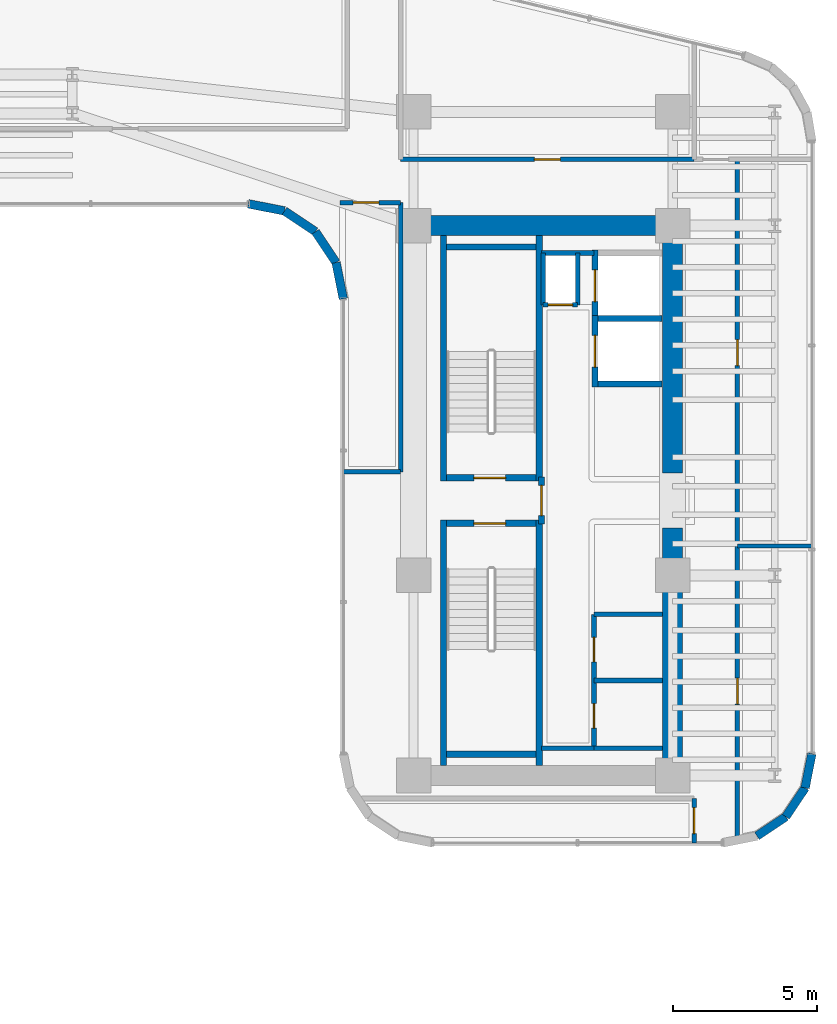
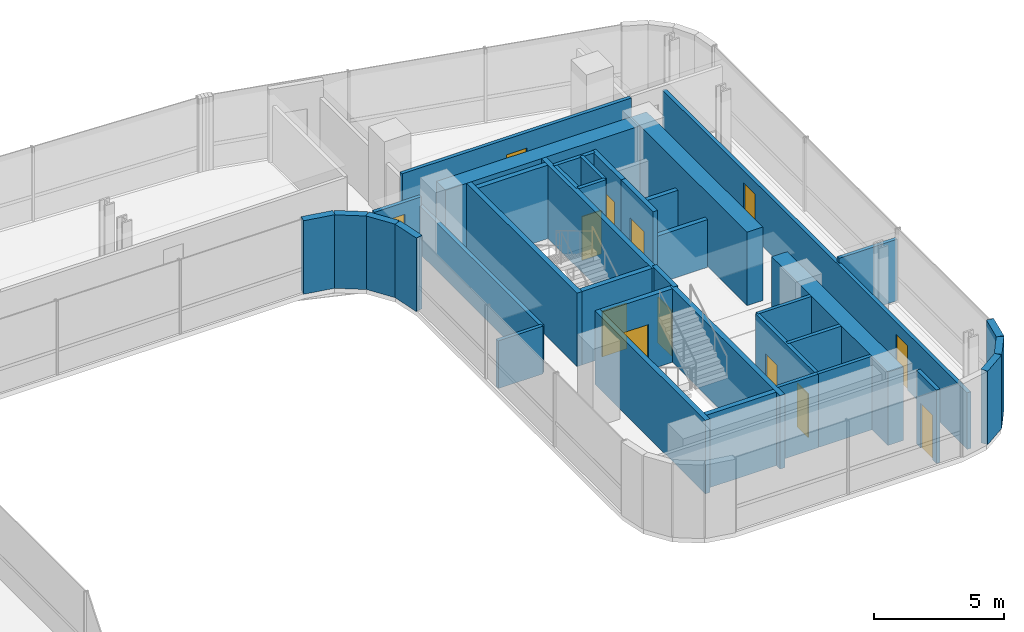
# One storey, part 28 of 34: 39 walls, 13 doors, 13 openings.
"""IFC4 building model written with IfcOpenShell, lengths in metres."""

from ifc_helpers import new_model, si_unit, direction, frame, frame_2d, origin, place, context, subcontext, project, spatial, rectangle, extrude, material, layer, layer_set, type_object, element, fill, save


model = new_model("IFC4")

# Units and contexts
model_context = context("Model", 3, precision=1e-05, world=origin(), true_north=direction((0.0, 1.0)))
body_context = subcontext(model_context, "Body", "Model", "MODEL_VIEW")
ifc_project = project(units=[si_unit("LENGTHUNIT", "METRE"), si_unit("AREAUNIT", "SQUARE_METRE"), si_unit("VOLUMEUNIT", "CUBIC_METRE"), si_unit("PLANEANGLEUNIT", "RADIAN"), si_unit("MASSUNIT", "GRAM", prefix="KILO")], contexts=[model_context])

# Site, building, storey
site_placement = place(None, origin())
site = spatial("IfcSite", under=ifc_project, at=site_placement, CompositionType="ELEMENT")
building_placement = place(site_placement, origin())
building = spatial("IfcBuilding", under=site, at=building_placement, Name="Valdorenza Pilgrim Sanctuary Tower", CompositionType="ELEMENT")
storey_placement = place(building_placement, frame((0.0, 0.0, 146.39990234375)))
storey = spatial("IfcBuildingStorey", under=building, at=storey_placement, Name="L37", CompositionType="ELEMENT", Elevation=146.39990234375)

# Wall, opening, door
ifc_material_1 = material(Name="Acoustic twin-stud gypsum partition", Category="gypsum")
ifc_layer_1 = layer(ifc_material_1, 0.159912109375, Name="Acoustic twin-stud gypsum partition")
ifc_layer_set_1 = layer_set([ifc_layer_1], Name="Acoustic twin-stud gypsum partition")
wall_type_1 = type_object("IfcWallType", Name="WAL-COR-160", PredefinedType="PARTITIONING", material=ifc_layer_set_1)
wall_1_placement = place(storey_placement, frame((20.35009765625, 6.800048828125, 0.0), z_axis=(0.0, 0.0, 1.0), x_axis=(1.0, 0.0, 0.0)))
wall_1 = element("IfcWall", 1, at=wall_1_placement, inside=storey, type_object=wall_type_1, Name="L37 Core B Riser South Wall", PredefinedType="PARTITIONING", context=body_context, shape_type="SweptSolid", body=[
    extrude(rectangle(XDim=1.199951171875, YDim=0.159912109375, at=frame_2d((0.60009765625, 0.0))), origin(), (0.0, 0.0, 1.0), 3.460205078125),
])
opening_1_placement = place(wall_1_placement, frame((0.175048828125, 0.0, 0.0)))
opening_1 = element("IfcOpeningElement", 2, at=opening_1_placement, cuts=wall_1, Name="Opening DR-RS1", PredefinedType="OPENING", context=body_context, shape_type="SweptSolid", body=[
    extrude(rectangle(XDim=0.85009765625, YDim=2.050048828125, at=frame_2d((0.425048828125, 1.02490234375))), frame((0.0, 0.0947265625, 0.0), z_axis=(0.0, -1.0, 0.0), x_axis=(1.0, 0.0, 0.0)), (0.0, 0.0, 1.0), 0.189697265625),
])
ifc_material_2 = material(Name="Painted galvanized steel", Category="steel")
door_type_1 = type_object("IfcDoorType", Name="DR-RSR-850", OperationType="NOTDEFINED", PredefinedType="DOOR", material=ifc_material_2)
door_1_placement = place(opening_1_placement, origin())
door_1 = element("IfcDoor", 3, at=door_1_placement, inside=storey, type_object=door_type_1, Name="L37 Core B Electrical Riser Door", OperationType="SINGLE_SWING_RIGHT", OverallHeight=2.050048828125, OverallWidth=0.85009765625, PredefinedType="DOOR", context=body_context, shape_type="SweptSolid", body=[
    extrude(rectangle(XDim=0.85009765625, YDim=2.050048828125, at=frame_2d((0.425048828125, 1.02490234375))), frame((0.0, 0.02490234375, 0.0), z_axis=(0.0, -1.0, 0.0), x_axis=(1.0, 0.0, 0.0)), (0.0, 0.0, 1.0), 0.050048828125),
])
fill(opening_1, door_1)

# Walls
for number, where, z_axis, x_axis, name in (
    (4, (21.550048828125, 6.800048828125, 0.0), (0.0, 0.0, 1.0), (0.0, 1.0, 0.0), "L37 Core B Riser East Wall"),
    (5, (20.35009765625, 6.800048828125, 0.0), (0.0, 0.0, 1.0), (0.0, 1.0, 0.0), "L37 Core B Riser West Wall"),
):
    element("IfcWall", number, at=place(storey_placement, frame(where, z_axis=z_axis, x_axis=x_axis)), inside=storey, type_object=wall_type_1, Name=name, PredefinedType="PARTITIONING", context=body_context, shape_type="SweptSolid", body=[
        extrude(rectangle(XDim=1.800048828125, YDim=0.159912109375, at=frame_2d((0.89990234375, 0.0))), origin(), (0.0, 0.0, 1.0), 3.460205078125),
    ])
for number, where, z_axis, x_axis, name in (
    (6, (20.300048828125, -8.60009765625, 0.0), (0.0, 0.0, 1.0), (1.0, 0.0, 0.0), "L37 Core B Lift Hall South End Wall"),
    (7, (20.300048828125, 8.60009765625, 0.0), (0.0, 0.0, 1.0), (1.0, 0.0, 0.0), "L37 Core B Lift Hall North End Wall"),
):
    element("IfcWall", number, at=place(storey_placement, frame(where, z_axis=z_axis, x_axis=x_axis)), inside=storey, type_object=wall_type_1, Name=name, PredefinedType="PARTITIONING", context=body_context, shape_type="SweptSolid", body=[
        extrude(rectangle(XDim=1.820068359375, YDim=0.159912109375, at=frame_2d((0.91015625, 0.0))), origin(), (0.0, 0.0, 1.0), 3.460205078125),
    ])

# Wall, openings, doors
wall_2_placement = place(storey_placement, frame((22.1201171875, -8.60009765625, 0.0), z_axis=(0.0, 0.0, 1.0), x_axis=(0.0, 1.0, 0.0)))
wall_2 = element("IfcWall", 8, at=wall_2_placement, inside=storey, type_object=wall_type_1, Name="L37 Core B Freed Shaft West Wall", PredefinedType="PARTITIONING", context=body_context, shape_type="SweptSolid", body=[
    extrude(rectangle(XDim=4.650146484375, YDim=0.159912109375, at=frame_2d((2.3251953125, 0.0))), origin(), (0.0, 0.0, 1.0), 3.460205078125),
])
opening_2_placement = place(wall_2_placement, frame((0.699951171875, 0.0, 0.0)))
opening_2 = element("IfcOpeningElement", 9, at=opening_2_placement, cuts=wall_2, Name="Opening DR-RS1", PredefinedType="OPENING", context=body_context, shape_type="SweptSolid", body=[
    extrude(rectangle(XDim=0.85009765625, YDim=2.050048828125, at=frame_2d((0.425048828125, 1.02490234375))), frame((0.0, 0.0947265625, 0.0), z_axis=(0.0, -1.0, 0.0), x_axis=(1.0, 0.0, 0.0)), (0.0, 0.0, 1.0), 0.189697265625),
])
opening_3_placement = place(wall_2_placement, frame((3.0, 0.0, 0.0)))
opening_3 = element("IfcOpeningElement", 10, at=opening_3_placement, cuts=wall_2, Name="Opening DR-RS1", PredefinedType="OPENING", context=body_context, shape_type="SweptSolid", body=[
    extrude(rectangle(XDim=0.85009765625, YDim=2.050048828125, at=frame_2d((0.425048828125, 1.02490234375))), frame((0.0, 0.0947265625, 0.0), z_axis=(0.0, -1.0, 0.0), x_axis=(1.0, 0.0, 0.0)), (0.0, 0.0, 1.0), 0.189697265625),
])
door_2_placement = place(opening_2_placement, origin())
door_2 = element("IfcDoor", 11, at=door_2_placement, inside=storey, type_object=door_type_1, Name="L37 East Core Housekeeping Store Door", OperationType="SINGLE_SWING_LEFT", OverallHeight=2.050048828125, OverallWidth=0.85009765625, PredefinedType="DOOR", context=body_context, shape_type="SweptSolid", body=[
    extrude(rectangle(XDim=0.85009765625, YDim=2.050048828125, at=frame_2d((0.425048828125, 1.02490234375))), frame((0.0, 0.02490234375, 0.0), z_axis=(0.0, -1.0, 0.0), x_axis=(1.0, 0.0, 0.0)), (0.0, 0.0, 1.0), 0.050048828125),
])
fill(opening_2, door_2)
door_3_placement = place(opening_3_placement, origin())
door_3 = element("IfcDoor", 12, at=door_3_placement, inside=storey, type_object=door_type_1, Name="L37 East Core Tea Pantry Door", OperationType="SINGLE_SWING_RIGHT", OverallHeight=2.050048828125, OverallWidth=0.85009765625, PredefinedType="DOOR", context=body_context, shape_type="SweptSolid", body=[
    extrude(rectangle(XDim=0.85009765625, YDim=2.050048828125, at=frame_2d((0.425048828125, 1.02490234375))), frame((0.0, 0.02490234375, 0.0), z_axis=(0.0, -1.0, 0.0), x_axis=(1.0, 0.0, 0.0)), (0.0, 0.0, 1.0), 0.050048828125),
])
fill(opening_3, door_3)

# Wall
wall_3_placement = place(storey_placement, frame((22.1201171875, -6.25, 0.0), z_axis=(0.0, 0.0, 1.0), x_axis=(1.0, 0.0, 0.0)))
element("IfcWall", 13, at=wall_3_placement, inside=storey, type_object=wall_type_1, Name="L37 Core B Freed Split", PredefinedType="PARTITIONING", context=body_context, shape_type="SweptSolid", body=[
    extrude(rectangle(XDim=2.3798828125, YDim=0.159912109375, at=frame_2d((1.18994140625, 0.0))), origin(), (0.0, 0.0, 1.0), 3.460205078125),
])

# Wall, opening, door
wall_4_placement = place(storey_placement, frame((15.39990234375, 11.85009765625, 0.0), z_axis=(0.0, 0.0, 1.0), x_axis=(1.0, 0.0, 0.0)))
wall_4 = element("IfcWall", 14, at=wall_4_placement, inside=storey, type_object=wall_type_1, Name="L37 Wing B North Corridor Wall", PredefinedType="PARTITIONING", context=body_context, shape_type="SweptSolid", body=[
    extrude(rectangle(XDim=10.2001953125, YDim=0.159912109375, at=frame_2d((5.10009765625, 0.0))), origin(), (0.0, 0.0, 1.0), 2.833984375),
])
opening_4_placement = place(wall_4_placement, frame((4.64990234375, 0.0, 0.0)))
opening_4 = element("IfcOpeningElement", 15, at=opening_4_placement, cuts=wall_4, Name="Opening DR-RM1", PredefinedType="OPENING", context=body_context, shape_type="SweptSolid", body=[
    extrude(rectangle(XDim=0.89990234375, YDim=2.10009765625, at=frame_2d((0.449951171875, 1.050048828125))), frame((0.0, 0.0947265625, 0.0), z_axis=(0.0, -1.0, 0.0), x_axis=(1.0, 0.0, 0.0)), (0.0, 0.0, 1.0), 0.189697265625),
])
ifc_material_3 = material(Name="Solid-core European oak timber", Category="wood")
door_type_2 = type_object("IfcDoorType", Name="DR-ROOM-900", OperationType="NOTDEFINED", PredefinedType="DOOR", material=ifc_material_3)
door_4_placement = place(opening_4_placement, origin())
door_4 = element("IfcDoor", 16, at=door_4_placement, inside=storey, type_object=door_type_2, Name="L37 Curator Research Office L37-BN1 Door", OperationType="SINGLE_SWING_RIGHT", OverallHeight=2.10009765625, OverallWidth=0.89990234375, PredefinedType="DOOR", context=body_context, shape_type="SweptSolid", body=[
    extrude(rectangle(XDim=0.89990234375, YDim=2.10009765625, at=frame_2d((0.449951171875, 1.050048828125))), frame((0.0, 0.02490234375, 0.0), z_axis=(0.0, -1.0, 0.0), x_axis=(1.0, 0.0, 0.0)), (0.0, 0.0, 1.0), 0.050048828125),
])
fill(opening_4, door_4)

wall_5_placement = place(storey_placement, frame((25.60009765625, -11.889892578125, 0.0), z_axis=(0.0, 0.0, 1.0), x_axis=(0.0, 1.0, 0.0)))
wall_5 = element("IfcWall", 17, at=wall_5_placement, inside=storey, type_object=wall_type_1, Name="L37 Wing B South-East Wall", PredefinedType="PARTITIONING", context=body_context, shape_type="SweptSolid", body=[
    extrude(rectangle(XDim=1.539794921875, YDim=0.159912109375, at=frame_2d((0.77001953125, 0.0))), origin(), (0.0, 0.0, 1.0), 3.460205078125),
])
opening_5_placement = place(wall_5_placement, frame((0.320068359375, 0.0, 0.0)))
opening_5 = element("IfcOpeningElement", 18, at=opening_5_placement, cuts=wall_5, Name="Opening DR-RM1", PredefinedType="OPENING", context=body_context, shape_type="SweptSolid", body=[
    extrude(rectangle(XDim=0.89990234375, YDim=2.10009765625, at=frame_2d((0.449951171875, 1.050048828125))), frame((0.0, 0.0947265625, 0.0), z_axis=(0.0, -1.0, 0.0), x_axis=(1.0, 0.0, 0.0)), (0.0, 0.0, 1.0), 0.189697265625),
])
door_5_placement = place(opening_5_placement, frame((0.89990234375, 0.0, 0.0), z_axis=(0.0, 0.0, 1.0), x_axis=(-1.0, 0.0, 0.0)))
door_5 = element("IfcDoor", 19, at=door_5_placement, inside=storey, type_object=door_type_2, Name="L37 Sacred Manuscript Archive L37-BS Door", OperationType="SINGLE_SWING_LEFT", OverallHeight=2.10009765625, OverallWidth=0.89990234375, PredefinedType="DOOR", context=body_context, shape_type="SweptSolid", body=[
    extrude(rectangle(XDim=0.89990234375, YDim=2.10009765625, at=frame_2d((0.449951171875, 1.050048828125))), frame((0.0, 0.02490234375, 0.0), z_axis=(0.0, -1.0, 0.0), x_axis=(1.0, 0.0, 0.0)), (0.0, 0.0, 1.0), 0.050048828125),
])
fill(opening_5, door_5)

# Wall, openings, doors
wall_6_placement = place(storey_placement, frame((27.10009765625, -11.660888671875, 0.0), z_axis=(0.0, 0.0, 1.0), x_axis=(0.0, 1.0, 0.0)))
wall_6 = element("IfcWall", 20, at=wall_6_placement, inside=storey, type_object=wall_type_1, Name="L37 Wing B East Corridor Wall", PredefinedType="PARTITIONING", context=body_context, shape_type="SweptSolid", body=[
    extrude(rectangle(XDim=23.510986328125, YDim=0.159912109375, at=frame_2d((11.75537109375, 0.0))), origin(), (0.0, 0.0, 1.0), 2.666015625),
])
opening_6_placement = place(wall_6_placement, frame((4.593017578125, 0.0, 0.0)))
opening_6 = element("IfcOpeningElement", 21, at=opening_6_placement, cuts=wall_6, Name="Opening DR-RM1", PredefinedType="OPENING", context=body_context, shape_type="SweptSolid", body=[
    extrude(rectangle(XDim=0.89990234375, YDim=2.10009765625, at=frame_2d((0.449951171875, 1.050048828125))), frame((0.0, 0.0947265625, 0.0), z_axis=(0.0, -1.0, 0.0), x_axis=(1.0, 0.0, 0.0)), (0.0, 0.0, 1.0), 0.189697265625),
])
opening_7_placement = place(wall_6_placement, frame((16.347900390625, 0.0, 0.0)))
opening_7 = element("IfcOpeningElement", 22, at=opening_7_placement, cuts=wall_6, Name="Opening DR-RM1", PredefinedType="OPENING", context=body_context, shape_type="SweptSolid", body=[
    extrude(rectangle(XDim=0.89990234375, YDim=2.10009765625, at=frame_2d((0.449951171875, 1.050048828125))), frame((0.0, 0.0947265625, 0.0), z_axis=(0.0, -1.0, 0.0), x_axis=(1.0, 0.0, 0.0)), (0.0, 0.0, 1.0), 0.189697265625),
])
door_6_placement = place(opening_6_placement, frame((0.89990234375, 0.0, 0.0), z_axis=(0.0, 0.0, 1.0), x_axis=(-1.0, 0.0, 0.0)))
door_6 = element("IfcDoor", 23, at=door_6_placement, inside=storey, type_object=door_type_2, Name="L37 Private Banquet Dining Room L37-EB1 Door", OperationType="SINGLE_SWING_LEFT", OverallHeight=2.10009765625, OverallWidth=0.89990234375, PredefinedType="DOOR", context=body_context, shape_type="SweptSolid", body=[
    extrude(rectangle(XDim=0.89990234375, YDim=2.10009765625, at=frame_2d((0.449951171875, 1.050048828125))), frame((0.0, 0.02490234375, 0.0), z_axis=(0.0, -1.0, 0.0), x_axis=(1.0, 0.0, 0.0)), (0.0, 0.0, 1.0), 0.050048828125),
])
fill(opening_6, door_6)
door_7_placement = place(opening_7_placement, origin())
door_7 = element("IfcDoor", 24, at=door_7_placement, inside=storey, type_object=door_type_2, Name="L37 Private Banquet Dining Room L37-EB2 Door", OperationType="SINGLE_SWING_RIGHT", OverallHeight=2.10009765625, OverallWidth=0.89990234375, PredefinedType="DOOR", context=body_context, shape_type="SweptSolid", body=[
    extrude(rectangle(XDim=0.89990234375, YDim=2.10009765625, at=frame_2d((0.449951171875, 1.050048828125))), frame((0.0, 0.02490234375, 0.0), z_axis=(0.0, -1.0, 0.0), x_axis=(1.0, 0.0, 0.0)), (0.0, 0.0, 1.0), 0.050048828125),
])
fill(opening_7, door_7)

# Wall, opening, door
wall_7_placement = place(storey_placement, frame((13.300048828125, 10.35009765625, 0.0), z_axis=(0.0, 0.0, 1.0), x_axis=(1.0, 0.0, 0.0)))
wall_7 = element("IfcWall", 25, at=wall_7_placement, inside=storey, type_object=wall_type_1, Name="L37 Courtyard Overlook North Wall", PredefinedType="PARTITIONING", context=body_context, shape_type="SweptSolid", body=[
    extrude(rectangle(XDim=2.099853515625, YDim=0.159912109375, at=frame_2d((1.0498046875, 0.0))), origin(), (0.0, 0.0, 1.0), 2.666015625),
])
opening_8_placement = place(wall_7_placement, frame((0.449951171875, 0.0, 0.0)))
opening_8 = element("IfcOpeningElement", 26, at=opening_8_placement, cuts=wall_7, Name="Opening DR-RM1", PredefinedType="OPENING", context=body_context, shape_type="SweptSolid", body=[
    extrude(rectangle(XDim=0.89990234375, YDim=2.10009765625, at=frame_2d((0.449951171875, 1.050048828125))), frame((0.0, 0.0947265625, 0.0), z_axis=(0.0, -1.0, 0.0), x_axis=(1.0, 0.0, 0.0)), (0.0, 0.0, 1.0), 0.189697265625),
])
door_8_placement = place(opening_8_placement, origin())
door_8 = element("IfcDoor", 27, at=door_8_placement, inside=storey, type_object=door_type_2, Name="L37 Courtyard Overlook Salon Door", OperationType="SINGLE_SWING_LEFT", OverallHeight=2.10009765625, OverallWidth=0.89990234375, PredefinedType="DOOR", context=body_context, shape_type="SweptSolid", body=[
    extrude(rectangle(XDim=0.89990234375, YDim=2.10009765625, at=frame_2d((0.449951171875, 1.050048828125))), frame((0.0, 0.02490234375, 0.0), z_axis=(0.0, -1.0, 0.0), x_axis=(1.0, 0.0, 0.0)), (0.0, 0.0, 1.0), 0.050048828125),
])
fill(opening_8, door_8)

# Walls
wall_8_placement = place(storey_placement, frame((15.39990234375, 1.0, 0.0), z_axis=(0.0, 0.0, 1.0), x_axis=(0.0, 1.0, 0.0)))
element("IfcWall", 28, at=wall_8_placement, inside=storey, type_object=wall_type_1, Name="L37 Courtyard Overlook East Wall", PredefinedType="PARTITIONING", context=body_context, shape_type="SweptSolid", body=[
    extrude(rectangle(XDim=9.35009765625, YDim=0.159912109375, at=frame_2d((4.675048828125, 0.0))), origin(), (0.0, 0.0, 1.0), 2.2451171875),
])
wall_9_placement = place(storey_placement, frame((13.409912109375, 1.0, 0.0), z_axis=(0.0, 0.0, 1.0), x_axis=(1.0, 0.0, 0.0)))
element("IfcWall", 29, at=wall_9_placement, inside=storey, type_object=wall_type_1, Name="L37 Courtyard Overlook South Wall", PredefinedType="PARTITIONING", context=body_context, shape_type="SweptSolid", body=[
    extrude(rectangle(XDim=1.989990234375, YDim=0.159912109375, at=frame_2d((0.9951171875, 0.0))), origin(), (0.0, 0.0, 1.0), 2.2451171875),
])
ifc_material_4 = material(Name="Concrete C60/75", Category="concrete")
ifc_layer_2 = layer(ifc_material_4, 0.699951171875, Name="Concrete C60/75")
ifc_layer_set_2 = layer_set([ifc_layer_2], Name="Concrete C60/75")
wall_type_2 = type_object("IfcWallType", Name="WAL-COR-700", PredefinedType="SHEAR", material=ifc_layer_set_2)
for number, where, z_axis, x_axis, name in (
    (30, (24.85009765625, -9.89990234375, 0.0), (0.0, 0.0, 1.0), (0.0, 1.0, 0.0), "L37 Split Core B Shear Wall ES"),
    (31, (24.85009765625, 0.949951171875, 0.0), (0.0, 0.0, 1.0), (0.0, 1.0, 0.0), "L37 Split Core B Shear Wall EN"),
):
    element("IfcWall", number, at=place(storey_placement, frame(where, z_axis=z_axis, x_axis=x_axis)), inside=storey, type_object=wall_type_2, Name=name, PredefinedType="SHEAR", context=body_context, shape_type="SweptSolid", body=[
        extrude(rectangle(XDim=8.949951171875, YDim=0.699951171875, at=frame_2d((4.47509765625, 0.0))), origin(), (0.0, 0.0, 1.0), 3.460205078125),
    ])
wall_10_placement = place(storey_placement, frame((15.85009765625, 9.550048828125, 0.0), z_axis=(0.0, 0.0, 1.0), x_axis=(1.0, 0.0, 0.0)))
element("IfcWall", 32, at=wall_10_placement, inside=storey, type_object=wall_type_2, Name="L37 Split Core B Shear Wall N", PredefinedType="SHEAR", context=body_context, shape_type="SweptSolid", body=[
    extrude(rectangle(XDim=9.0, YDim=0.699951171875, at=frame_2d((4.5, 0.0))), origin(), (0.0, 0.0, 1.0), 3.460205078125),
])
ifc_material_5 = material(Name="Honed travertine limestone", Category="masonry")
ifc_layer_3 = layer(ifc_material_5, 0.300048828125, Name="Honed travertine limestone")
ifc_layer_set_3 = layer_set([ifc_layer_3], Name="Honed travertine limestone")
wall_type_3 = type_object("IfcWallType", Name="WAL-EXT-300", PredefinedType="SOLIDWALL", material=ifc_layer_set_3)
wall_11_placement = place(storey_placement, frame((29.68994140625, -8.789306640625, 0.0), z_axis=(0.0, 0.0, 1.0), x_axis=(-0.194996050505, -0.980804027463, 0.0)))
element("IfcWall", 33, at=wall_11_placement, inside=storey, type_object=wall_type_3, Name="L37 Rounded Wind-Corner Stone Pier 22", PredefinedType="SOLIDWALL", context=body_context, shape_type="SweptSolid", body=[
    extrude(rectangle(XDim=1.2158203125, YDim=0.300048828125, at=frame_2d((0.60791015625, 0.0))), origin(), (0.0, 0.0, 1.0), 3.460205078125),
])
for number, where, z_axis, x_axis, name in (
    (34, (29.452880859375, -9.981689453125, 0.0), (0.0, 0.0, 1.0), (-0.555635100982, -0.831426265255, 0.0), "L37 Rounded Wind-Corner Stone Pier 23"),
    (35, (28.783447265625, -10.9833984375, 0.0), (0.0, 0.0, 1.0), (-0.831426265255, -0.555635100982, 0.0), "L37 Rounded Wind-Corner Stone Pier 24"),
):
    element("IfcWall", number, at=place(storey_placement, frame(where, z_axis=z_axis, x_axis=x_axis)), inside=storey, type_object=wall_type_3, Name=name, PredefinedType="SOLIDWALL", context=body_context, shape_type="SweptSolid", body=[
        extrude(rectangle(XDim=1.204833984375, YDim=0.300048828125, at=frame_2d((0.6025390625, 0.0))), origin(), (0.0, 0.0, 1.0), 3.460205078125),
    ])
wall_12_placement = place(storey_placement, frame((13.409912109375, 7.0107421875, 0.0), z_axis=(0.0, 0.0, 1.0), x_axis=(-0.195090163074, 0.980785312019, 0.0)))
element("IfcWall", 36, at=wall_12_placement, inside=storey, type_object=wall_type_3, Name="L37 Rounded Wind-Corner Stone Pier 32", PredefinedType="SOLIDWALL", context=body_context, shape_type="SweptSolid", body=[
    extrude(rectangle(XDim=1.281494140625, YDim=0.300048828125, at=frame_2d((0.640625, 0.0))), origin(), (0.0, 0.0, 1.0), 3.460205078125),
])
for number, where, z_axis, x_axis, name in (
    (37, (13.159912109375, 8.267578125, 0.0), (0.0, 0.0, 1.0), (-0.555615398575, 0.831439431869, 0.0), "L37 Rounded Wind-Corner Stone Pier 33"),
    (38, (12.44189453125, 9.342041015625, 0.0), (0.0, 0.0, 1.0), (-0.831439431869, 0.555615398575, 0.0), "L37 Rounded Wind-Corner Stone Pier 34"),
):
    element("IfcWall", number, at=place(storey_placement, frame(where, z_axis=z_axis, x_axis=x_axis)), inside=storey, type_object=wall_type_3, Name=name, PredefinedType="SOLIDWALL", context=body_context, shape_type="SweptSolid", body=[
        extrude(rectangle(XDim=1.292236328125, YDim=0.300048828125, at=frame_2d((0.64599609375, 0.0))), origin(), (0.0, 0.0, 1.0), 3.460205078125),
    ])
wall_13_placement = place(storey_placement, frame((11.367431640625, 10.06005859375, 0.0), z_axis=(0.0, 0.0, 1.0), x_axis=(-0.980778058848, 0.195126623715, 0.0)))
element("IfcWall", 39, at=wall_13_placement, inside=storey, type_object=wall_type_3, Name="L37 Rounded Wind-Corner Stone Pier 35", PredefinedType="SOLIDWALL", context=body_context, shape_type="SweptSolid", body=[
    extrude(rectangle(XDim=1.28125, YDim=0.300048828125, at=frame_2d((0.640625, 0.0))), origin(), (0.0, 0.0, 1.0), 3.460205078125),
])

# Wall, opening, door
ifc_material_6 = material(Name="Gypsum shaftwall partition", Category="gypsum")
ifc_layer_4 = layer(ifc_material_6, 0.199951171875, Name="Gypsum shaftwall partition")
ifc_layer_set_4 = layer_set([ifc_layer_4], Name="Gypsum shaftwall partition")
wall_type_4 = type_object("IfcWallType", Name="WAL-FFL-200", PredefinedType="PARTITIONING", material=ifc_layer_set_4)
wall_14_placement = place(storey_placement, frame((20.300048828125, -0.820068359375, 0.0), z_axis=(0.0, 0.0, 1.0), x_axis=(0.0, 1.0, 0.0)))
wall_14 = element("IfcWall", 40, at=wall_14_placement, inside=storey, type_object=wall_type_4, Name="L37 Core B Firefighting Lobby East Wall", PredefinedType="PARTITIONING", context=body_context, shape_type="SweptSolid", body=[
    extrude(rectangle(XDim=1.64013671875, YDim=0.199951171875, at=frame_2d((0.820068359375, 0.0))), origin(), (0.0, 0.0, 1.0), 3.460205078125),
])
opening_9_placement = place(wall_14_placement, frame((0.294921875, 0.0, 0.0)))
opening_9 = element("IfcOpeningElement", 41, at=opening_9_placement, cuts=wall_14, Name="Opening DR-FL1", PredefinedType="OPENING", context=body_context, shape_type="SweptSolid", body=[
    extrude(rectangle(XDim=1.050048828125, YDim=2.14990234375, at=frame_2d((0.52490234375, 1.074951171875))), frame((0.0, 0.11474609375, 0.0), z_axis=(0.0, -1.0, 0.0), x_axis=(1.0, 0.0, 0.0)), (0.0, 0.0, 1.0), 0.229736328125),
])
door_type_3 = type_object("IfcDoorType", Name="DR-FFL-1050", OperationType="NOTDEFINED", PredefinedType="DOOR", material=ifc_material_2)
door_9_placement = place(opening_9_placement, frame((1.050048828125, 0.0, 0.0), z_axis=(0.0, 0.0, 1.0), x_axis=(-1.0, 0.0, 0.0)))
door_9 = element("IfcDoor", 42, at=door_9_placement, inside=storey, type_object=door_type_3, Name="L37 Core B Firefighting Lobby Door", OperationType="SINGLE_SWING_LEFT", OverallHeight=2.14990234375, OverallWidth=1.050048828125, PredefinedType="DOOR", context=body_context, shape_type="SweptSolid", body=[
    extrude(rectangle(XDim=1.050048828125, YDim=2.14990234375, at=frame_2d((0.52490234375, 1.074951171875))), frame((0.0, 0.02490234375, 0.0), z_axis=(0.0, -1.0, 0.0), x_axis=(1.0, 0.0, 0.0)), (0.0, 0.0, 1.0), 0.050048828125),
])
fill(opening_9, door_9)

ifc_material_7 = material(Name="Autoclaved aerated concrete blockwork", Category="masonry")
ifc_layer_5 = layer(ifc_material_7, 0.199951171875, Name="Autoclaved aerated concrete blockwork")
ifc_layer_set_5 = layer_set([ifc_layer_5], Name="Autoclaved aerated concrete blockwork")
wall_type_5 = type_object("IfcWallType", Name="WAL-SHF-200", PredefinedType="MOVABLE", material=ifc_layer_set_5)
wall_15_placement = place(storey_placement, frame((22.14990234375, 3.949951171875, 0.0), z_axis=(0.0, 0.0, 1.0), x_axis=(0.0, 1.0, 0.0)))
wall_15 = element("IfcWall", 43, at=wall_15_placement, inside=storey, type_object=wall_type_5, Name="L37 Lift PL-07 Hoistway Wall West", PredefinedType="MOVABLE", context=body_context, shape_type="SweptSolid", body=[
    extrude(rectangle(XDim=2.47509765625, YDim=0.199951171875, at=frame_2d((1.237548828125, 0.0))), origin(), (0.0, 0.0, 1.0), 3.460205078125),
])
opening_10_placement = place(wall_15_placement, frame((0.6875, 0.0, 0.0)))
opening_10 = element("IfcOpeningElement", 44, at=opening_10_placement, cuts=wall_15, Name="Opening LD-01", PredefinedType="OPENING", context=body_context, shape_type="SweptSolid", body=[
    extrude(rectangle(XDim=1.10009765625, YDim=2.10009765625, at=frame_2d((0.550048828125, 1.050048828125))), frame((0.0, 0.11474609375, 0.0), z_axis=(0.0, -1.0, 0.0), x_axis=(1.0, 0.0, 0.0)), (0.0, 0.0, 1.0), 0.229736328125),
])
ifc_material_8 = material(Name="Brushed stainless steel Grade 316", Category="steel")
door_type_4 = type_object("IfcDoorType", Name="DR-LFT-1100", OperationType="DOUBLE_DOOR_SLIDING", PredefinedType="DOOR", material=ifc_material_8)
door_10_placement = place(opening_10_placement, origin())
door_10 = element("IfcDoor", 45, at=door_10_placement, inside=storey, type_object=door_type_4, Name="L37 Lift PL-07 Sliding Landing Door", OperationType="DOUBLE_DOOR_SLIDING", OverallHeight=2.10009765625, OverallWidth=1.10009765625, PredefinedType="DOOR", context=body_context, shape_type="SweptSolid", body=[
    extrude(rectangle(XDim=1.10009765625, YDim=2.10009765625, at=frame_2d((0.550048828125, 1.050048828125))), frame((0.0, 0.02490234375, 0.0), z_axis=(0.0, -1.0, 0.0), x_axis=(1.0, 0.0, 0.0)), (0.0, 0.0, 1.0), 0.050048828125),
])
fill(opening_10, door_10)

# Walls
for number, where, z_axis, x_axis, name in (
    (46, (22.25, 4.050048828125, 0.0), (0.0, 0.0, 1.0), (1.0, 0.0, 0.0), "L37 Lift PL-07 Hoistway Wall South"),
    (47, (22.25, 6.324951171875, 0.0), (0.0, 0.0, 1.0), (1.0, 0.0, 0.0), "L37 Lift PL-07 Hoistway Wall North"),
):
    element("IfcWall", number, at=place(storey_placement, frame(where, z_axis=z_axis, x_axis=x_axis)), inside=storey, type_object=wall_type_5, Name=name, PredefinedType="MOVABLE", context=body_context, shape_type="SweptSolid", body=[
        extrude(rectangle(XDim=2.22998046875, YDim=0.199951171875, at=frame_2d((1.114990234375, 0.0))), origin(), (0.0, 0.0, 1.0), 2.2451171875),
    ])

# Wall, opening, door
wall_16_placement = place(storey_placement, frame((22.14990234375, 6.22509765625, 0.0), z_axis=(0.0, 0.0, 1.0), x_axis=(0.0, 1.0, 0.0)))
wall_16 = element("IfcWall", 48, at=wall_16_placement, inside=storey, type_object=wall_type_5, Name="L37 Lift PL-08 Hoistway Wall West", PredefinedType="MOVABLE", context=body_context, shape_type="SweptSolid", body=[
    extrude(rectangle(XDim=2.474853515625, YDim=0.199951171875, at=frame_2d((1.2373046875, 0.0))), origin(), (0.0, 0.0, 1.0), 3.460205078125),
])
opening_11_placement = place(wall_16_placement, frame((0.6875, 0.0, 0.0)))
opening_11 = element("IfcOpeningElement", 49, at=opening_11_placement, cuts=wall_16, Name="Opening LD-01", PredefinedType="OPENING", context=body_context, shape_type="SweptSolid", body=[
    extrude(rectangle(XDim=1.10009765625, YDim=2.10009765625, at=frame_2d((0.550048828125, 1.050048828125))), frame((0.0, 0.11474609375, 0.0), z_axis=(0.0, -1.0, 0.0), x_axis=(1.0, 0.0, 0.0)), (0.0, 0.0, 1.0), 0.229736328125),
])
door_11_placement = place(opening_11_placement, origin())
door_11 = element("IfcDoor", 50, at=door_11_placement, inside=storey, type_object=door_type_4, Name="L37 Lift PL-08 Sliding Landing Door", OperationType="DOUBLE_DOOR_SLIDING", OverallHeight=2.10009765625, OverallWidth=1.10009765625, PredefinedType="DOOR", context=body_context, shape_type="SweptSolid", body=[
    extrude(rectangle(XDim=1.10009765625, YDim=2.10009765625, at=frame_2d((0.550048828125, 1.050048828125))), frame((0.0, 0.02490234375, 0.0), z_axis=(0.0, -1.0, 0.0), x_axis=(1.0, 0.0, 0.0)), (0.0, 0.0, 1.0), 0.050048828125),
])
fill(opening_11, door_11)

# Walls
ifc_material_9 = material(Name="Concrete C40/50", Category="concrete")
ifc_layer_6 = layer(ifc_material_9, 0.219970703125, Name="Concrete C40/50")
ifc_layer_set_6 = layer_set([ifc_layer_6], Name="Concrete C40/50")
wall_type_6 = type_object("IfcWallType", Name="WAL-STR-SHF-220", PredefinedType="SHEAR", material=ifc_layer_set_6)
for number, where, z_axis, x_axis, name in (
    (51, (16.889892578125, 0.679931640625, 0.0), (0.0, 0.0, 1.0), (0.0, 1.0, 0.0), "L37 ST-B1 Structural Stairwell Wall W"),
    (52, (20.219970703125, 0.679931640625, 0.0), (0.0, 0.0, 1.0), (0.0, 1.0, 0.0), "L37 ST-B1 Structural Stairwell Wall E"),
):
    element("IfcWall", number, at=place(storey_placement, frame(where, z_axis=z_axis, x_axis=x_axis)), inside=storey, type_object=wall_type_6, Name=name, PredefinedType="SHEAR", context=body_context, shape_type="SweptSolid", body=[
        extrude(rectangle(XDim=8.52001953125, YDim=0.219970703125, at=frame_2d((4.260009765625, 0.0))), origin(), (0.0, 0.0, 1.0), 3.460205078125),
    ])

# Wall, opening, door
wall_17_placement = place(storey_placement, frame((17.0, 0.7900390625, 0.0), z_axis=(0.0, 0.0, 1.0), x_axis=(1.0, 0.0, 0.0)))
wall_17 = element("IfcWall", 53, at=wall_17_placement, inside=storey, type_object=wall_type_6, Name="L37 ST-B1 Structural Stairwell Wall S", PredefinedType="SHEAR", context=body_context, shape_type="SweptSolid", body=[
    extrude(rectangle(XDim=3.110107421875, YDim=0.219970703125, at=frame_2d((1.55517578125, 0.0))), origin(), (0.0, 0.0, 1.0), 3.460205078125),
])
opening_12_placement = place(wall_17_placement, frame((0.949951171875, 0.0, 0.0)))
opening_12 = element("IfcOpeningElement", 54, at=opening_12_placement, cuts=wall_17, Name="Opening DR-ST1", PredefinedType="OPENING", context=body_context, shape_type="SweptSolid", body=[
    extrude(rectangle(XDim=1.10009765625, YDim=2.14990234375, at=frame_2d((0.550048828125, 1.074951171875))), frame((0.0, 0.125, 0.0), z_axis=(0.0, -1.0, 0.0), x_axis=(1.0, 0.0, 0.0)), (0.0, 0.0, 1.0), 0.249755859375),
])
door_type_5 = type_object("IfcDoorType", Name="DR-STAIR-1100", OperationType="NOTDEFINED", PredefinedType="DOOR", material=ifc_material_2)
door_12_placement = place(opening_12_placement, origin())
door_12 = element("IfcDoor", 55, at=door_12_placement, inside=storey, type_object=door_type_5, Name="L37 Exit Stair ST-B1 Door", OperationType="SINGLE_SWING_RIGHT", OverallHeight=2.14990234375, OverallWidth=1.10009765625, PredefinedType="DOOR", context=body_context, shape_type="SweptSolid", body=[
    extrude(rectangle(XDim=1.10009765625, YDim=2.14990234375, at=frame_2d((0.550048828125, 1.074951171875))), frame((0.0, 0.02490234375, 0.0), z_axis=(0.0, -1.0, 0.0), x_axis=(1.0, 0.0, 0.0)), (0.0, 0.0, 1.0), 0.050048828125),
])
fill(opening_12, door_12)

# Walls
wall_18_placement = place(storey_placement, frame((17.0, 8.81005859375, 0.0), z_axis=(0.0, 0.0, 1.0), x_axis=(1.0, 0.0, 0.0)))
element("IfcWall", 56, at=wall_18_placement, inside=storey, type_object=wall_type_6, Name="L37 ST-B1 Structural Stairwell Wall N", PredefinedType="SHEAR", context=body_context, shape_type="SweptSolid", body=[
    extrude(rectangle(XDim=3.110107421875, YDim=0.219970703125, at=frame_2d((1.55517578125, 0.0))), origin(), (0.0, 0.0, 1.0), 3.460205078125),
])
for number, where, z_axis, x_axis, name in (
    (57, (16.889892578125, -9.199951171875, 0.0), (0.0, 0.0, 1.0), (0.0, 1.0, 0.0), "L37 ST-B2 Structural Stairwell Wall W"),
    (58, (20.219970703125, -9.199951171875, 0.0), (0.0, 0.0, 1.0), (0.0, 1.0, 0.0), "L37 ST-B2 Structural Stairwell Wall E"),
):
    element("IfcWall", number, at=place(storey_placement, frame(where, z_axis=z_axis, x_axis=x_axis)), inside=storey, type_object=wall_type_6, Name=name, PredefinedType="SHEAR", context=body_context, shape_type="SweptSolid", body=[
        extrude(rectangle(XDim=8.52001953125, YDim=0.219970703125, at=frame_2d((4.260009765625, 0.0))), origin(), (0.0, 0.0, 1.0), 3.460205078125),
    ])
wall_19_placement = place(storey_placement, frame((17.0, -8.81005859375, 0.0), z_axis=(0.0, 0.0, 1.0), x_axis=(1.0, 0.0, 0.0)))
element("IfcWall", 59, at=wall_19_placement, inside=storey, type_object=wall_type_6, Name="L37 ST-B2 Structural Stairwell Wall S", PredefinedType="SHEAR", context=body_context, shape_type="SweptSolid", body=[
    extrude(rectangle(XDim=3.110107421875, YDim=0.219970703125, at=frame_2d((1.55517578125, 0.0))), origin(), (0.0, 0.0, 1.0), 3.460205078125),
])

# Wall, opening, door
wall_20_placement = place(storey_placement, frame((17.0, -0.7900390625, 0.0), z_axis=(0.0, 0.0, 1.0), x_axis=(1.0, 0.0, 0.0)))
wall_20 = element("IfcWall", 60, at=wall_20_placement, inside=storey, type_object=wall_type_6, Name="L37 ST-B2 Structural Stairwell Wall N", PredefinedType="SHEAR", context=body_context, shape_type="SweptSolid", body=[
    extrude(rectangle(XDim=3.110107421875, YDim=0.219970703125, at=frame_2d((1.55517578125, 0.0))), origin(), (0.0, 0.0, 1.0), 3.460205078125),
])
opening_13_placement = place(wall_20_placement, frame((0.949951171875, 0.0, 0.0)))
opening_13 = element("IfcOpeningElement", 61, at=opening_13_placement, cuts=wall_20, Name="Opening DR-ST1", PredefinedType="OPENING", context=body_context, shape_type="SweptSolid", body=[
    extrude(rectangle(XDim=1.10009765625, YDim=2.14990234375, at=frame_2d((0.550048828125, 1.074951171875))), frame((0.0, 0.125, 0.0), z_axis=(0.0, -1.0, 0.0), x_axis=(1.0, 0.0, 0.0)), (0.0, 0.0, 1.0), 0.249755859375),
])
door_13_placement = place(opening_13_placement, frame((1.10009765625, 0.0, 0.0), z_axis=(0.0, 0.0, 1.0), x_axis=(-1.0, 0.0, 0.0)))
door_13 = element("IfcDoor", 62, at=door_13_placement, inside=storey, type_object=door_type_5, Name="L37 Exit Stair ST-B2 Door", OperationType="SINGLE_SWING_LEFT", OverallHeight=2.14990234375, OverallWidth=1.10009765625, PredefinedType="DOOR", context=body_context, shape_type="SweptSolid", body=[
    extrude(rectangle(XDim=1.10009765625, YDim=2.14990234375, at=frame_2d((0.550048828125, 1.074951171875))), frame((0.0, 0.02490234375, 0.0), z_axis=(0.0, -1.0, 0.0), x_axis=(1.0, 0.0, 0.0)), (0.0, 0.0, 1.0), 0.050048828125),
])
fill(opening_13, door_13)

# Walls
ifc_layer_7 = layer(ifc_material_1, 0.14990234375, Name="Acoustic twin-stud gypsum partition")
ifc_layer_set_7 = layer_set([ifc_layer_7], Name="Acoustic twin-stud gypsum partition")
wall_type_7 = type_object("IfcWallType", Name="WAL-UNT-150", PredefinedType="PARTITIONING", material=ifc_layer_set_7)
for number, where, z_axis, x_axis, name in (
    (63, (22.1201171875, -3.949951171875, 0.0), (0.0, 0.0, 1.0), (1.0, 0.0, 0.0), "L37 Core B Freed Shaft North Wall"),
    (64, (22.1201171875, -8.60009765625, 0.0), (0.0, 0.0, 1.0), (1.0, 0.0, 0.0), "L37 Core B Freed Shaft South Wall"),
):
    element("IfcWall", number, at=place(storey_placement, frame(where, z_axis=z_axis, x_axis=x_axis)), inside=storey, type_object=wall_type_7, Name=name, PredefinedType="PARTITIONING", context=body_context, shape_type="SweptSolid", body=[
        extrude(rectangle(XDim=2.3798828125, YDim=0.14990234375, at=frame_2d((1.18994140625, 0.0))), origin(), (0.0, 0.0, 1.0), 3.460205078125),
    ])
wall_21_placement = place(storey_placement, frame((27.10009765625, -1.574951171875, 0.0), z_axis=(0.0, 0.0, 1.0), x_axis=(1.0, 0.0, 0.0)))
element("IfcWall", 65, at=wall_21_placement, inside=storey, type_object=wall_type_7, Name="L37 Private Banquet Dining Room L37-EB2 Demising Wall", PredefinedType="PARTITIONING", context=body_context, shape_type="SweptSolid", body=[
    extrude(rectangle(XDim=2.58984375, YDim=0.14990234375, at=frame_2d((1.294921875, 0.0))), origin(), (0.0, 0.0, 1.0), 2.89599609375),
])

save(model, "model.ifc")
